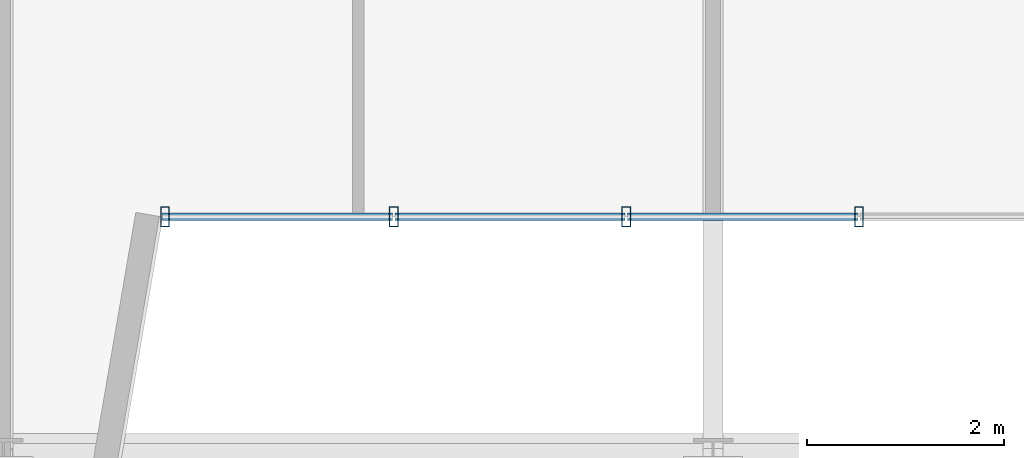
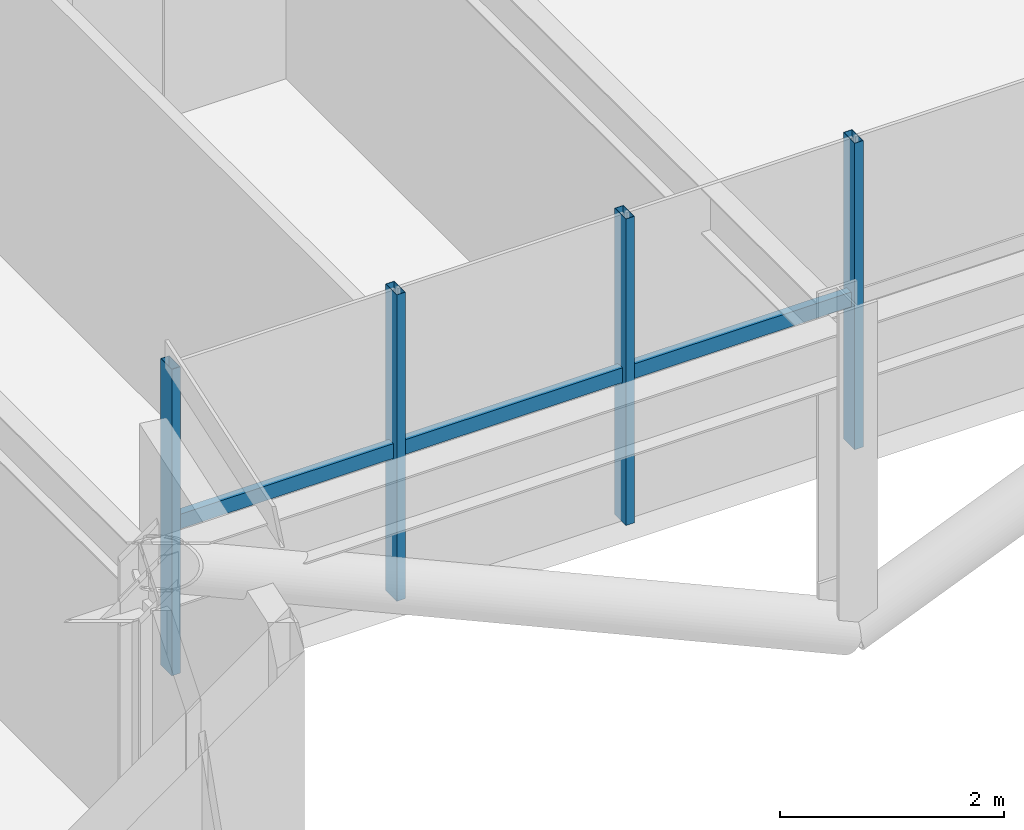
# One storey, part 5 of 26: 7 members, 1 element without a shape of its own.
"""IFC4 building model written with IfcOpenShell, lengths in metres."""

import ifcopenshell
import ifcopenshell.guid

model = None  # the IFC model being written
_history = None  # IfcOwnerHistory: only IFC2X3 demands one
_inside = {}  # id of a spatial element -> (the spatial element, [elements in it])
_under = {}  # id of a project, library or spatial element -> (it, [spatial elements below it])
_declared = {}  # id of a project -> (the project, [libraries it declares])
_typed = {}  # id of a type object -> (the type object, [elements of that type])
_made_of = {}  # id of a material, layer set ... -> (it, [elements and type objects made of it])


def new_model(schema):
    """Start an empty IFC model of exactly this schema.

    Asked for "IFC4X3", IfcOpenShell would pick the latest addendum, in which some entities
    have other attributes; the version numbers below select the first issue.
    IFC2X3 requires an IfcOwnerHistory on every rooted entity: one is made here for all.
    """
    global model, _history
    if schema == "IFC4X3":
        model = ifcopenshell.file(schema_version=(4, 3, 0, 0))
    else:
        model = ifcopenshell.file(schema=schema)
    _inside.clear()
    _under.clear()
    _declared.clear()
    _typed.clear()
    _made_of.clear()
    _history = None
    if model.schema == "IFC2X3":
        org = make("IfcOrganization", Name="unknown")
        user = make(
            "IfcPersonAndOrganization",
            ThePerson=make("IfcPerson", FamilyName="unknown"),
            TheOrganization=org,
        )
        app = make(
            "IfcApplication",
            ApplicationDeveloper=org,
            Version="unknown",
            ApplicationFullName="unknown",
            ApplicationIdentifier="unknown",
        )
        _history = make(
            "IfcOwnerHistory",
            OwningUser=user,
            OwningApplication=app,
            ChangeAction="ADDED",
            CreationDate=0,
        )
    return model


def make(cls, **values):
    """One entity of the class cls with the attributes given. An attribute that is None is left unset."""
    return model.create_entity(
        cls, **{name: value for name, value in values.items() if value is not None}
    )


def rooted(cls, **values):
    """An entity with a GlobalId (a new one), such as an element, a storey or a relation."""
    return make(cls, GlobalId=ifcopenshell.guid.new(), OwnerHistory=_history, **values)


def si_unit(unit_type, name, prefix=None):
    """IfcSIUnit, for example si_unit("LENGTHUNIT", "METRE", prefix="MILLI")."""
    return make("IfcSIUnit", UnitType=unit_type, Prefix=prefix, Name=name)


def assignment(units):
    """IfcUnitAssignment: the units of a project."""
    return None if units is None else make("IfcUnitAssignment", Units=units)


def point(xyz):
    """IfcCartesianPoint."""
    return None if xyz is None else make("IfcCartesianPoint", Coordinates=xyz)


def direction(xyz):
    """IfcDirection."""
    return None if xyz is None else make("IfcDirection", DirectionRatios=xyz)


def frame(location, z_axis=None, x_axis=None):
    """IfcAxis2Placement3D, a coordinate frame: its origin and axes. An axis left out is left unset."""
    return make(
        "IfcAxis2Placement3D",
        Location=point(location),
        Axis=direction(z_axis),
        RefDirection=direction(x_axis),
    )


def frame_2d(location, x_axis=None):
    """IfcAxis2Placement2D, a coordinate frame in the plane: its origin and x axis."""
    return make(
        "IfcAxis2Placement2D", Location=point(location), RefDirection=direction(x_axis)
    )


def origin():
    """The frame at (0, 0, 0) with its axes left unset."""
    return frame((0.0, 0.0, 0.0))


def origin_2d():
    """The frame at (0, 0) in the plane with its x axis left unset."""
    return frame_2d((0.0, 0.0))


def place(relative_to, where):
    """IfcLocalPlacement: puts the frame where relative to a parent placement (None: the world)."""
    return make(
        "IfcLocalPlacement", PlacementRelTo=relative_to, RelativePlacement=where
    )


def context(
    kind, dimensions, precision=None, world=None, true_north=None, identifier=None
):
    """IfcGeometricRepresentationContext, for example the 3D "Model" context."""
    return make(
        "IfcGeometricRepresentationContext",
        ContextIdentifier=identifier,
        ContextType=kind,
        CoordinateSpaceDimension=dimensions,
        Precision=precision,
        WorldCoordinateSystem=world,
        TrueNorth=true_north,
    )


def subcontext(parent, identifier, kind, view, scale=None):
    """IfcGeometricRepresentationSubContext, for example "Body" below "Model"."""
    return make(
        "IfcGeometricRepresentationSubContext",
        ContextIdentifier=identifier,
        ContextType=kind,
        ParentContext=parent,
        TargetScale=scale,
        TargetView=view,
    )


def project(units=None, contexts=None):
    """IfcProject with its units and contexts."""
    return rooted(
        "IfcProject",
        Name="project",
        RepresentationContexts=contexts,
        UnitsInContext=assignment(units),
    )


def spatial(cls, under=None, at=None, **own):
    """A site, building, storey or space (cls), placed at a placement, below another one or the project."""
    s = rooted(cls, ObjectPlacement=at, **own)
    if under is not None:
        _under.setdefault(under.id(), (under, []))[1].append(s)
    return s


def profile(cls, at=None, kind="AREA", **sizes):
    """A parametric profile (cls). Its sizes go by their IFC names, for example OverallWidth=200.0."""
    return make(cls, ProfileType=kind, Position=at, **sizes)


def hollow_rectangle(**sizes):
    """IfcRectangleHollowProfileDef."""
    return profile("IfcRectangleHollowProfileDef", **sizes)


def extrude(swept, where, along, depth):
    """IfcExtrudedAreaSolid: the profile swept, set in the frame where, extruded along a direction by depth."""
    return make(
        "IfcExtrudedAreaSolid",
        SweptArea=swept,
        Position=where,
        ExtrudedDirection=direction(along),
        Depth=depth,
    )


def shape(context_of_items, identifier, shape_type, items):
    """IfcShapeRepresentation: the items that make up one representation, for example the "Body"."""
    return make(
        "IfcShapeRepresentation",
        ContextOfItems=context_of_items,
        RepresentationIdentifier=identifier,
        RepresentationType=shape_type,
        Items=items,
    )


def source(mapping_origin, context_of_items, identifier, shape_type, items):
    """IfcRepresentationMap: a shape defined once, which mapped items show again and again."""
    return make(
        "IfcRepresentationMap",
        MappingOrigin=mapping_origin,
        MappedRepresentation=shape(context_of_items, identifier, shape_type, items),
    )


def transform(
    local_origin,
    x_axis=None,
    y_axis=None,
    z_axis=None,
    scale=None,
    scale2=None,
    scale3=None,
    uniform=True,
):
    """IfcCartesianTransformationOperator3D, or its non-uniform kind. x_axis, y_axis, z_axis: its Axis1, 2, 3."""
    if uniform:
        return make(
            "IfcCartesianTransformationOperator3D",
            Axis1=direction(x_axis),
            Axis2=direction(y_axis),
            LocalOrigin=point(local_origin),
            Scale=scale,
            Axis3=direction(z_axis),
        )
    return make(
        "IfcCartesianTransformationOperator3DnonUniform",
        Axis1=direction(x_axis),
        Axis2=direction(y_axis),
        LocalOrigin=point(local_origin),
        Scale=scale,
        Axis3=direction(z_axis),
        Scale2=scale2,
        Scale3=scale3,
    )


def mapped(mapping_source, mapping_target):
    """IfcMappedItem: shows the shape of a source again, moved by a transform."""
    return make(
        "IfcMappedItem", MappingSource=mapping_source, MappingTarget=mapping_target
    )


def material(Name=None, Category=None):
    """IfcMaterial."""
    return make("IfcMaterial", Name=Name, Category=Category)


def material_profile(
    of_material, cross_section, Name=None, Category=None, Priority=None
):
    """IfcMaterialProfile: a cross section and its material."""
    return make(
        "IfcMaterialProfile",
        Name=Name,
        Material=of_material,
        Profile=cross_section,
        Priority=Priority,
        Category=Category,
    )


def profile_set(profiles, Name=None, composite=None):
    """IfcMaterialProfileSet."""
    return make(
        "IfcMaterialProfileSet",
        Name=Name,
        MaterialProfiles=profiles,
        CompositeProfile=composite,
    )


def made_of(thing, what):
    """Note that an element or type object is made of a material, layer set ...; save() writes the relation."""
    if what is not None:
        _made_of.setdefault(what.id(), (what, []))[1].append(thing)
    return thing


def type_object(cls, material=None, **own):
    """A type object (cls), such as IfcWallType, which elements share."""
    return made_of(rooted(cls, **own), material)


def element(
    cls,
    number,
    at=None,
    inside=None,
    cuts=None,
    type_object=None,
    material=None,
    context=None,
    identifier="Body",
    shape_type=None,
    held_by="IfcProductDefinitionShape",
    body=None,
    shapes=None,
    **own,
):
    """One element of the class cls, such as IfcWall. Its Tag is "e" and its number.

    at: its placement. inside: the storey or other place that contains it. cuts: it is an
    opening in that element (IfcRelVoidsElement). A single representation is given by context,
    identifier, shape_type and body (its items); several are given by shapes. held_by: the class
    of the entity that holds the representations. save() writes the other relations.
    """
    e = rooted(cls, Tag="e%d" % number, ObjectPlacement=at, **own)
    if body is not None:
        shapes = [shape(context, identifier, shape_type, body)]
    if shapes is not None:
        e.Representation = make(held_by, Representations=shapes)
    if inside is not None:
        _inside.setdefault(inside.id(), (inside, []))[1].append(e)
    if cuts is not None:
        rooted(
            "IfcRelVoidsElement", RelatingBuildingElement=cuts, RelatedOpeningElement=e
        )
    if type_object is not None:
        _typed.setdefault(type_object.id(), (type_object, []))[1].append(e)
    return made_of(e, material)


def aggregate(whole, parts):
    """IfcRelAggregates: a whole, such as a stair, and the parts it consists of."""
    return rooted("IfcRelAggregates", RelatingObject=whole, RelatedObjects=parts)


def save(model, path):
    """Write the relations noted so far, then the file.

    IfcRelAggregates (storeys below a building ...), IfcRelContainedInSpatialStructure (elements
    in a storey), IfcRelDefinesByType, IfcRelAssociatesMaterial and IfcRelDeclares: one each for
    every whole, place, type object, material and project.
    """
    for whole, parts in _under.values():
        aggregate(whole, parts)
    for where, things in _inside.values():
        rooted(
            "IfcRelContainedInSpatialStructure",
            RelatedElements=things,
            RelatingStructure=where,
        )
    for kind, things in _typed.values():
        rooted("IfcRelDefinesByType", RelatedObjects=things, RelatingType=kind)
    for what, things in _made_of.values():
        rooted("IfcRelAssociatesMaterial", RelatedObjects=things, RelatingMaterial=what)
    for by, libraries in _declared.values():
        rooted("IfcRelDeclares", RelatingContext=by, RelatedDefinitions=libraries)
    model.write(path)


model = new_model("IFC4")

# Units and contexts
model_context = context("Model", 3, precision=1e-05, world=origin(), true_north=direction((0.0, 1.0)))
body_context = subcontext(model_context, "Body", "Model", "MODEL_VIEW")
ifc_project = project(units=[si_unit("LENGTHUNIT", "METRE"), si_unit("AREAUNIT", "SQUARE_METRE"), si_unit("VOLUMEUNIT", "CUBIC_METRE"), si_unit("PLANEANGLEUNIT", "RADIAN"), si_unit("MASSUNIT", "GRAM", prefix="KILO")], contexts=[model_context])

# Site, building, storey
site_placement = place(None, origin())
site = spatial("IfcSite", under=ifc_project, at=site_placement, CompositionType="ELEMENT")
building_placement = place(site_placement, origin())
building = spatial("IfcBuilding", under=site, at=building_placement, Name="Trelvane Seafront Commons", CompositionType="ELEMENT")
storey_placement = place(building_placement, frame((0.0, 0.0, 124.89990234375)))
storey = spatial("IfcBuildingStorey", under=building, at=storey_placement, Name="L32", CompositionType="ELEMENT", Elevation=124.89990234375)

# Curtain wall, members
ifc_material = material(Name="Anodised pale-silver aluminium", Category="aluminium")
curtain_wall_type = type_object("IfcCurtainWallType", Name="ARCH-CW3-PORTAL", PredefinedType="NOTDEFINED", material=ifc_material)
curtain_wall_placement = place(storey_placement, origin())
curtain_wall = element("IfcCurtainWall", 1, at=curtain_wall_placement, inside=storey, type_object=curtain_wall_type, Name="CW-L32-VN-0058", PredefinedType="NOTDEFINED")
ifc_material_profile_1 = material_profile(ifc_material, hollow_rectangle(XDim=0.090087890625, YDim=0.199951171875, WallThickness=0.0048828125, at=origin_2d()), Name="MULL-90x200x5")
ifc_profile_set_1 = profile_set([ifc_material_profile_1], Name="Anodised pale-silver aluminium")
member_type_1 = type_object("IfcMemberType", Name="ARCH-CW-MULL-200", PredefinedType="MULLION", material=ifc_profile_set_1)
shared_shape_1 = source(origin(), body_context, "Body", "SweptSolid", [
    extrude(hollow_rectangle(XDim=0.090087890625, YDim=0.199951171875, WallThickness=0.0048828125, at=origin_2d()), origin(), (0.0, 0.0, 1.0), 3.340087890625),
])
member_1_placement = place(storey_placement, frame((52.47998046875, 6.39990234375, 0.0), z_axis=(0.0, 0.0, 1.0), x_axis=(1.0, 0.0, 0.0)))
member_1 = element("IfcMember", 2, at=member_1_placement, type_object=member_type_1, Name="CW-L32-VN-0058-M02", PredefinedType="MULLION", context=body_context, shape_type="MappedRepresentation", body=[
    mapped(shared_shape_1, transform((0.0, 0.0, 0.0), x_axis=(1.0, 0.0, 0.0), y_axis=(0.0, 1.0, 0.0), z_axis=(0.0, 0.0, 1.0), scale=1.0)),
])
member_2_placement = place(storey_placement, frame((50.1201171875, 6.39990234375, 0.0), z_axis=(0.0, 0.0, 1.0), x_axis=(1.0, 0.0, 0.0)))
member_2 = element("IfcMember", 3, at=member_2_placement, type_object=member_type_1, Name="CW-L32-VN-0058-M03", PredefinedType="MULLION", context=body_context, shape_type="MappedRepresentation", body=[
    mapped(shared_shape_1, transform((0.0, 0.0, 0.0), x_axis=(1.0, 0.0, 0.0), y_axis=(0.0, 1.0, 0.0), z_axis=(0.0, 0.0, 1.0), scale=1.0)),
])
member_3_placement = place(storey_placement, frame((47.760009765625, 6.39990234375, 0.0), z_axis=(0.0, 0.0, 1.0), x_axis=(1.0, 0.0, 0.0)))
member_3 = element("IfcMember", 4, at=member_3_placement, type_object=member_type_1, Name="CW-L32-VN-0058-M04", PredefinedType="MULLION", context=body_context, shape_type="MappedRepresentation", body=[
    mapped(shared_shape_1, transform((0.0, 0.0, 0.0), x_axis=(1.0, 0.0, 0.0), y_axis=(0.0, 1.0, 0.0), z_axis=(0.0, 0.0, 1.0), scale=1.0)),
])
member_4_placement = place(storey_placement, frame((45.43994140625, 6.39990234375, 0.0), z_axis=(0.0, 0.0, 1.0), x_axis=(1.0, 0.0, 0.0)))
member_4 = element("IfcMember", 5, at=member_4_placement, type_object=member_type_1, Name="CW-L32-VN-0058-M05", PredefinedType="MULLION", context=body_context, shape_type="MappedRepresentation", body=[
    mapped(shared_shape_1, transform((0.0, 0.0, 0.0), x_axis=(1.0, 0.0, 0.0), y_axis=(0.0, 1.0, 0.0), z_axis=(0.0, 0.0, 1.0), scale=1.0)),
])
ifc_material_profile_2 = material_profile(ifc_material, hollow_rectangle(XDim=0.080078125, YDim=0.159912109375, WallThickness=0.00439453125, at=origin_2d()), Name="TRAN-80x160x4.5")
ifc_profile_set_2 = profile_set([ifc_material_profile_2], Name="Anodised pale-silver aluminium")
member_type_2 = type_object("IfcMemberType", Name="ARCH-CW-TRAN-160", PredefinedType="USERDEFINED", material=ifc_profile_set_2)
shared_shape_2 = source(origin(), body_context, "Body", "SweptSolid", [
    extrude(hollow_rectangle(XDim=0.080078125, YDim=0.159912109375, WallThickness=0.00439453125, at=origin_2d()), origin(), (0.0, 0.0, 1.0), 2.3359375),
])
member_5_placement = place(storey_placement, frame((52.468017578125, 6.39990234375, 1.60302734375), z_axis=(-1.0, 0.0, 0.0), x_axis=(0.0, -1.0, 0.0)))
member_5 = element("IfcMember", 6, at=member_5_placement, type_object=member_type_2, Name="CW-L32-VN-0058-T02", ObjectType="TRANSOM", PredefinedType="USERDEFINED", context=body_context, shape_type="MappedRepresentation", body=[
    mapped(shared_shape_2, transform((0.0, 0.0, 0.0), x_axis=(1.0, 0.0, 0.0), y_axis=(0.0, 1.0, 0.0), z_axis=(0.0, 0.0, 1.0), scale=1.0)),
])
member_6_placement = place(storey_placement, frame((50.10791015625, 6.39990234375, 1.60302734375), z_axis=(-1.0, 0.0, 0.0), x_axis=(0.0, -1.0, 0.0)))
member_6 = element("IfcMember", 7, at=member_6_placement, type_object=member_type_2, Name="CW-L32-VN-0058-T03", ObjectType="TRANSOM", PredefinedType="USERDEFINED", context=body_context, shape_type="MappedRepresentation", body=[
    mapped(shared_shape_2, transform((0.0, 0.0, 0.0), x_axis=(1.0, 0.0, 0.0), y_axis=(0.0, 1.0, 0.0), z_axis=(0.0, 0.0, 1.0), scale=1.0)),
])
member_7_placement = place(storey_placement, frame((47.748046875, 6.39990234375, 1.60302734375), z_axis=(-1.0, 0.0, 0.0), x_axis=(0.0, -1.0, 0.0)))
member_7 = element("IfcMember", 8, at=member_7_placement, type_object=member_type_2, Name="CW-L32-VN-0058-T04", ObjectType="TRANSOM", PredefinedType="USERDEFINED", context=body_context, shape_type="MappedRepresentation", body=[
    mapped(shared_shape_2, transform((0.0, 0.0, 0.0), x_axis=(1.0, 0.0, 0.0), y_axis=(0.0, 1.0, 0.0), z_axis=(0.0, 0.0, 1.0), scale=1.0)),
])
aggregate(curtain_wall, [member_1, member_2, member_3, member_4, member_5, member_6, member_7])

save(model, "model.ifc")
